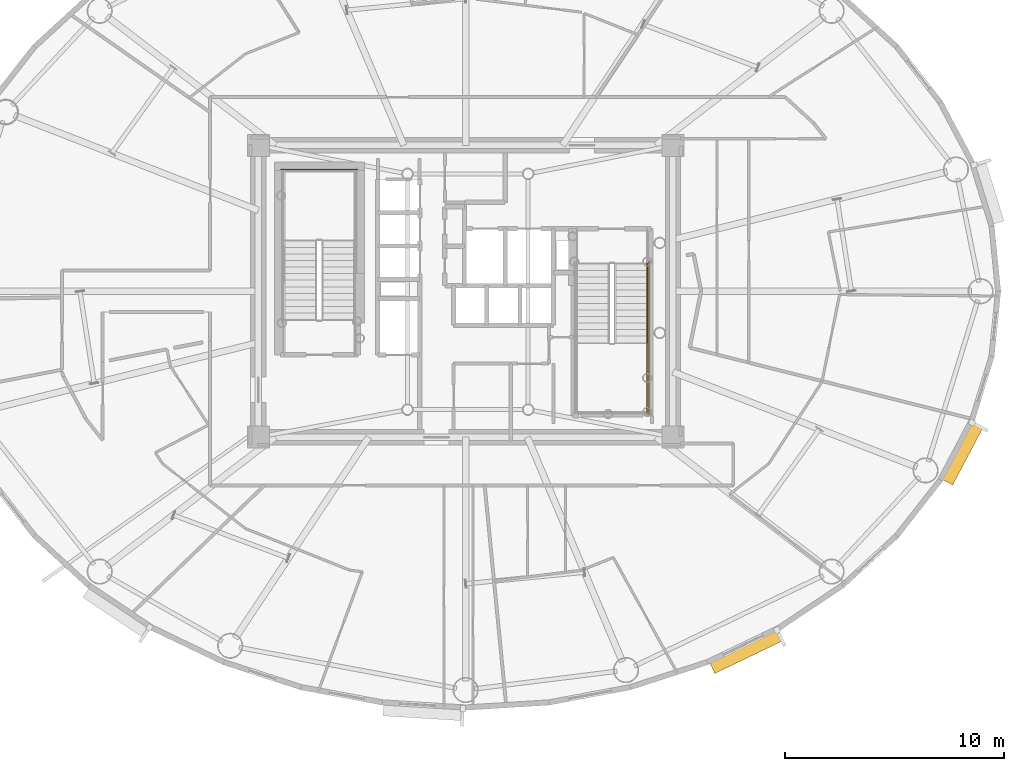
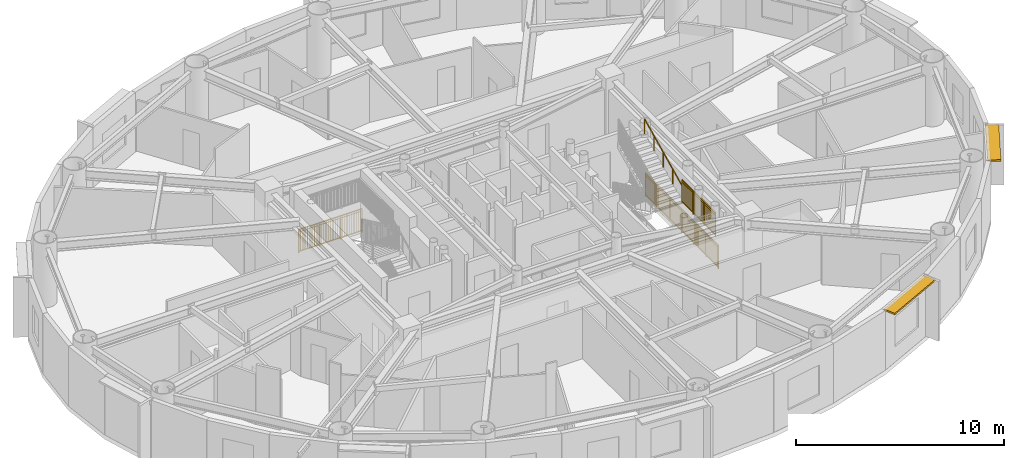
# One storey, part 20 of 21: 4 railings, 2 shading devices.
"""IFC4 building model written with IfcOpenShell, lengths in metres."""

from ifc_helpers import new_model, si_unit, direction, frame, origin, origin_2d, place, context, subcontext, project, spatial, rectangle, extrude, source, transform, mapped, material, layer, layer_set, type_object, element, save


model = new_model("IFC4")

# Units and contexts
model_context = context("Model", 3, precision=1e-05, world=origin(), true_north=direction((0.0, 1.0)))
body_context = subcontext(model_context, "Body", "Model", "MODEL_VIEW")
ifc_project = project(units=[si_unit("LENGTHUNIT", "METRE"), si_unit("AREAUNIT", "SQUARE_METRE"), si_unit("VOLUMEUNIT", "CUBIC_METRE"), si_unit("PLANEANGLEUNIT", "RADIAN"), si_unit("MASSUNIT", "GRAM", prefix="KILO")], contexts=[model_context])

# Site, building, storey
site_placement = place(None, origin())
site = spatial("IfcSite", under=ifc_project, at=site_placement, CompositionType="ELEMENT")
building_placement = place(site_placement, origin())
building = spatial("IfcBuilding", under=site, at=building_placement, Name="Linh Dai School and Residence Tower", CompositionType="ELEMENT")
storey_placement = place(building_placement, frame((0.0, 0.0, 251.550048828125)))
storey = spatial("IfcBuildingStorey", under=building, at=storey_placement, Name="L62", CompositionType="ELEMENT", Elevation=251.550048828125)

# Shading devices
ifc_material_1 = material(Name="Terracotta Ceramic Sunshade", Category="masonry")
ifc_layer = layer(ifc_material_1, 0.10009765625)
ifc_layer_set = layer_set([ifc_layer], Name="Terracotta Ceramic Sunshade")
shading_device_type = type_object("IfcShadingDeviceType", Name="SHD-TC-650", PredefinedType="USERDEFINED", material=ifc_layer_set)
shared_shape_1 = source(origin(), body_context, "Body", "SweptSolid", [
    extrude(rectangle(XDim=3.459716796875, YDim=0.64990234375, at=origin_2d()), origin(), (0.0, 0.0, 1.0), 0.10009765625),
])
shading_device_1_placement = place(storey_placement, frame((48.77880859375, 10.615966796875, 3.3798828125), z_axis=(0.0, 0.0, 1.0), x_axis=(-0.901588864931, -0.432593941973, 0.0)))
element("IfcShadingDevice", 1, at=shading_device_1_placement, inside=storey, type_object=shading_device_type, Name="L62 Terracotta Horizontal Sunshade Band 34", ObjectType="SUNSHADE", PredefinedType="USERDEFINED", context=body_context, shape_type="MappedRepresentation", body=[
    mapped(shared_shape_1, transform((0.0, 0.0, 0.0), x_axis=(1.0, 0.0, 0.0), y_axis=(0.0, 1.0, 0.0), z_axis=(0.0, 0.0, 1.0), scale=1.0)),
])
shared_shape_2 = source(origin(), body_context, "Body", "SweptSolid", [
    extrude(rectangle(XDim=2.986083984375, YDim=0.64990234375, at=origin_2d()), origin(), (0.0, 0.0, 1.0), 0.10009765625),
])
shading_device_2_placement = place(storey_placement, frame((58.614990234375, 19.63623046875, 3.3798828125), z_axis=(0.0, 0.0, 1.0), x_axis=(-0.467621224891, -0.883928950783, 0.0)))
element("IfcShadingDevice", 2, at=shading_device_2_placement, inside=storey, type_object=shading_device_type, Name="L62 Terracotta Horizontal Sunshade Band 38", ObjectType="SUNSHADE", PredefinedType="USERDEFINED", context=body_context, shape_type="MappedRepresentation", body=[
    mapped(shared_shape_2, transform((0.0, 0.0, 0.0), x_axis=(1.0, 0.0, 0.0), y_axis=(0.0, 1.0, 0.0), z_axis=(0.0, 0.0, 1.0), scale=1.0)),
])

# Railings
ifc_material_2 = material(Name="Structural Steel S355JR", Category="steel")
railing_type_1 = type_object("IfcRailingType", Name="RL-ST-GUARD-1400", PredefinedType="GUARDRAIL", material=ifc_material_2)
shared_shape_3 = source(origin(), body_context, "Body", "SweptSolid", [
    extrude(rectangle(XDim=0.048095703125, YDim=0.048095703125, at=origin_2d()), frame((0.0, 0.0, 1.3759765625), z_axis=(-1.0, 0.0, 0.0), x_axis=(0.0, -1.0, 0.0)), (0.0, 0.0, 1.0), 3.5),
    extrude(rectangle(XDim=0.048095703125, YDim=0.048095703125, at=origin_2d()), frame((0.0, 0.0, 0.10009765625), z_axis=(-1.0, 0.0, 0.0), x_axis=(0.0, -1.0, 0.0)), (0.0, 0.0, 1.0), 3.5),
    extrude(rectangle(XDim=0.030029296875, YDim=0.030029296875, at=origin_2d()), frame((0.0, 0.0, 1.239990234375), z_axis=(-1.0, 0.0, 0.0), x_axis=(0.0, -1.0, 0.0)), (0.0, 0.0, 1.0), 3.5),
    extrude(rectangle(XDim=0.02001953125, YDim=0.02001953125, at=origin_2d()), frame((-0.09716796875, 0.0, 0.10009765625)), (0.0, 0.0, 1.0), 1.251708984375),
    extrude(rectangle(XDim=0.02001953125, YDim=0.02001953125, at=origin_2d()), frame((-0.1943359375, 0.0, 0.10009765625)), (0.0, 0.0, 1.0), 1.251708984375),
    extrude(rectangle(XDim=0.02001953125, YDim=0.02001953125, at=origin_2d()), frame((-0.291748046875, 0.0, 0.10009765625)), (0.0, 0.0, 1.0), 1.251708984375),
    extrude(rectangle(XDim=0.02001953125, YDim=0.02001953125, at=origin_2d()), frame((-0.388916015625, 0.0, 0.10009765625)), (0.0, 0.0, 1.0), 1.251708984375),
    extrude(rectangle(XDim=0.02001953125, YDim=0.02001953125, at=origin_2d()), frame((-0.486083984375, 0.0, 0.10009765625)), (0.0, 0.0, 1.0), 1.251708984375),
    extrude(rectangle(XDim=0.02001953125, YDim=0.02001953125, at=origin_2d()), frame((-0.583251953125, 0.0, 0.10009765625)), (0.0, 0.0, 1.0), 1.251708984375),
    extrude(rectangle(XDim=0.02001953125, YDim=0.02001953125, at=origin_2d()), frame((-0.6806640625, 0.0, 0.10009765625)), (0.0, 0.0, 1.0), 1.251708984375),
    extrude(rectangle(XDim=0.02001953125, YDim=0.02001953125, at=origin_2d()), frame((-0.77783203125, 0.0, 0.10009765625)), (0.0, 0.0, 1.0), 1.251708984375),
    extrude(rectangle(XDim=0.02001953125, YDim=0.02001953125, at=origin_2d()), frame((-0.875, 0.0, 0.10009765625)), (0.0, 0.0, 1.0), 1.251708984375),
    extrude(rectangle(XDim=0.02001953125, YDim=0.02001953125, at=origin_2d()), frame((-0.97216796875, 0.0, 0.10009765625)), (0.0, 0.0, 1.0), 1.251708984375),
    extrude(rectangle(XDim=0.02001953125, YDim=0.02001953125, at=origin_2d()), frame((-1.0693359375, 0.0, 0.10009765625)), (0.0, 0.0, 1.0), 1.251708984375),
    extrude(rectangle(XDim=0.02001953125, YDim=0.02001953125, at=origin_2d()), frame((-1.263916015625, 0.0, 0.10009765625)), (0.0, 0.0, 1.0), 1.251708984375),
    extrude(rectangle(XDim=0.02001953125, YDim=0.02001953125, at=origin_2d()), frame((-1.361083984375, 0.0, 0.10009765625)), (0.0, 0.0, 1.0), 1.251708984375),
    extrude(rectangle(XDim=0.02001953125, YDim=0.02001953125, at=origin_2d()), frame((-1.458251953125, 0.0, 0.10009765625)), (0.0, 0.0, 1.0), 1.251708984375),
    extrude(rectangle(XDim=0.02001953125, YDim=0.02001953125, at=origin_2d()), frame((-1.5556640625, 0.0, 0.10009765625)), (0.0, 0.0, 1.0), 1.251708984375),
    extrude(rectangle(XDim=0.02001953125, YDim=0.02001953125, at=origin_2d()), frame((-1.65283203125, 0.0, 0.10009765625)), (0.0, 0.0, 1.0), 1.251708984375),
    extrude(rectangle(XDim=0.02001953125, YDim=0.02001953125, at=origin_2d()), frame((-1.75, 0.0, 0.10009765625)), (0.0, 0.0, 1.0), 1.251708984375),
    extrude(rectangle(XDim=0.02001953125, YDim=0.02001953125, at=origin_2d()), frame((-1.84716796875, 0.0, 0.10009765625)), (0.0, 0.0, 1.0), 1.251708984375),
    extrude(rectangle(XDim=0.02001953125, YDim=0.02001953125, at=origin_2d()), frame((-1.9443359375, 0.0, 0.10009765625)), (0.0, 0.0, 1.0), 1.251708984375),
    extrude(rectangle(XDim=0.02001953125, YDim=0.02001953125, at=origin_2d()), frame((-2.041748046875, 0.0, 0.10009765625)), (0.0, 0.0, 1.0), 1.251708984375),
    extrude(rectangle(XDim=0.02001953125, YDim=0.02001953125, at=origin_2d()), frame((-2.138916015625, 0.0, 0.10009765625)), (0.0, 0.0, 1.0), 1.251708984375),
    extrude(rectangle(XDim=0.02001953125, YDim=0.02001953125, at=origin_2d()), frame((-2.236083984375, 0.0, 0.10009765625)), (0.0, 0.0, 1.0), 1.251708984375),
    extrude(rectangle(XDim=0.02001953125, YDim=0.02001953125, at=origin_2d()), frame((-2.4306640625, 0.0, 0.10009765625)), (0.0, 0.0, 1.0), 1.251708984375),
    extrude(rectangle(XDim=0.02001953125, YDim=0.02001953125, at=origin_2d()), frame((-2.52783203125, 0.0, 0.10009765625)), (0.0, 0.0, 1.0), 1.251708984375),
    extrude(rectangle(XDim=0.02001953125, YDim=0.02001953125, at=origin_2d()), frame((-2.625, 0.0, 0.10009765625)), (0.0, 0.0, 1.0), 1.251708984375),
    extrude(rectangle(XDim=0.02001953125, YDim=0.02001953125, at=origin_2d()), frame((-2.72216796875, 0.0, 0.10009765625)), (0.0, 0.0, 1.0), 1.251708984375),
    extrude(rectangle(XDim=0.02001953125, YDim=0.02001953125, at=origin_2d()), frame((-2.8193359375, 0.0, 0.10009765625)), (0.0, 0.0, 1.0), 1.251708984375),
    extrude(rectangle(XDim=0.02001953125, YDim=0.02001953125, at=origin_2d()), frame((-2.916748046875, 0.0, 0.10009765625)), (0.0, 0.0, 1.0), 1.251708984375),
    extrude(rectangle(XDim=0.02001953125, YDim=0.02001953125, at=origin_2d()), frame((-3.013916015625, 0.0, 0.10009765625)), (0.0, 0.0, 1.0), 1.251708984375),
    extrude(rectangle(XDim=0.02001953125, YDim=0.02001953125, at=origin_2d()), frame((-3.111083984375, 0.0, 0.10009765625)), (0.0, 0.0, 1.0), 1.251708984375),
    extrude(rectangle(XDim=0.02001953125, YDim=0.02001953125, at=origin_2d()), frame((-3.208251953125, 0.0, 0.10009765625)), (0.0, 0.0, 1.0), 1.251708984375),
    extrude(rectangle(XDim=0.02001953125, YDim=0.02001953125, at=origin_2d()), frame((-3.3056640625, 0.0, 0.10009765625)), (0.0, 0.0, 1.0), 1.251708984375),
    extrude(rectangle(XDim=0.02001953125, YDim=0.02001953125, at=origin_2d()), frame((-3.40283203125, 0.0, 0.10009765625)), (0.0, 0.0, 1.0), 1.251708984375),
    extrude(rectangle(XDim=0.0419921875, YDim=0.0419921875, at=origin_2d()), origin(), (0.0, 0.0, 1.0), 1.3759765625),
    extrude(rectangle(XDim=0.0419921875, YDim=0.0419921875, at=origin_2d()), frame((-1.166748046875, 0.0, 0.0)), (0.0, 0.0, 1.0), 1.3759765625),
    extrude(rectangle(XDim=0.0419921875, YDim=0.0419921875, at=origin_2d()), frame((-2.333251953125, 0.0, 0.0)), (0.0, 0.0, 1.0), 1.3759765625),
    extrude(rectangle(XDim=0.0419921875, YDim=0.0419921875, at=origin_2d()), frame((-3.5, 0.0, 0.0)), (0.0, 0.0, 1.0), 1.3759765625),
])
railing_1_placement = place(storey_placement, frame((31.080078125, 32.550048828125, 0.0)))
element("IfcRailing", 3, at=railing_1_placement, inside=storey, type_object=railing_type_1, Name="L62 ST1 stair guard 12", PredefinedType="GUARDRAIL", context=body_context, shape_type="MappedRepresentation", body=[
    mapped(shared_shape_3, transform((0.0, 0.0, 0.0), x_axis=(1.0, 0.0, 0.0), y_axis=(0.0, 1.0, 0.0), z_axis=(0.0, 0.0, 1.0), scale=1.0)),
])
ifc_material_3 = material(Name="Brushed Stainless Steel Handrail", Category="steel")
railing_type_2 = type_object("IfcRailingType", Name="RL-ST-HANDRAIL-900", PredefinedType="HANDRAIL", material=ifc_material_3)
shared_shape_4 = source(origin(), body_context, "Body", "SweptSolid", [
    extrude(rectangle(XDim=0.048095703125, YDim=0.048095703125, at=origin_2d()), frame((0.0, 0.0, 0.8759765625), z_axis=(0.0, 0.901262522062, 0.433273431364), x_axis=(-1.0, 0.0, 0.0)), (0.0, 0.0, 1.0), 3.994384765625),
    extrude(rectangle(XDim=0.0419921875, YDim=0.0419921875, at=origin_2d()), origin(), (0.0, 0.0, 1.0), 0.8759765625),
    extrude(rectangle(XDim=0.0419921875, YDim=0.0419921875, at=origin_2d()), frame((0.0, 0.89990234375, 0.4326171875)), (0.0, 0.0, 1.0), 0.8759765625),
    extrude(rectangle(XDim=0.0419921875, YDim=0.0419921875, at=origin_2d()), frame((0.0, 1.800048828125, 0.865234375)), (0.0, 0.0, 1.0), 0.8759765625),
    extrude(rectangle(XDim=0.0419921875, YDim=0.0419921875, at=origin_2d()), frame((0.0, 2.7001953125, 1.298095703125)), (0.0, 0.0, 1.0), 0.8759765625),
    extrude(rectangle(XDim=0.0419921875, YDim=0.0419921875, at=origin_2d()), frame((0.0, 3.60009765625, 1.730712890625)), (0.0, 0.0, 1.0), 0.8759765625),
])
railing_2_placement = place(storey_placement, frame((44.27001953125, 24.64990234375, 2.019287109375)))
element("IfcRailing", 4, at=railing_2_placement, inside=storey, type_object=railing_type_2, Name="L62 ST2 stair handrail 2", PredefinedType="HANDRAIL", context=body_context, shape_type="MappedRepresentation", body=[
    mapped(shared_shape_4, transform((0.0, 0.0, 0.0), x_axis=(1.0, 0.0, 0.0), y_axis=(0.0, 1.0, 0.0), z_axis=(0.0, 0.0, 1.0), scale=1.0)),
])
shared_shape_5 = source(origin(), body_context, "Body", "SweptSolid", [
    extrude(rectangle(XDim=0.048095703125, YDim=0.048095703125, at=origin_2d()), frame((0.0, 0.0, 1.3759765625), z_axis=(0.0, -1.0, 0.0), x_axis=(1.0, 0.0, 0.0)), (0.0, 0.0, 1.0), 7.0),
    extrude(rectangle(XDim=0.048095703125, YDim=0.048095703125, at=origin_2d()), frame((0.0, 0.0, 0.10009765625), z_axis=(0.0, -1.0, 0.0), x_axis=(1.0, 0.0, 0.0)), (0.0, 0.0, 1.0), 7.0),
    extrude(rectangle(XDim=0.030029296875, YDim=0.030029296875, at=origin_2d()), frame((0.0, 0.0, 1.239990234375), z_axis=(0.0, -1.0, 0.0), x_axis=(1.0, 0.0, 0.0)), (0.0, 0.0, 1.0), 7.0),
    extrude(rectangle(XDim=0.02001953125, YDim=0.02001953125, at=origin_2d()), frame((0.0, -0.09716796875, 0.10009765625)), (0.0, 0.0, 1.0), 1.251708984375),
    extrude(rectangle(XDim=0.02001953125, YDim=0.02001953125, at=origin_2d()), frame((0.0, -0.1943359375, 0.10009765625)), (0.0, 0.0, 1.0), 1.251708984375),
    extrude(rectangle(XDim=0.02001953125, YDim=0.02001953125, at=origin_2d()), frame((0.0, -0.291748046875, 0.10009765625)), (0.0, 0.0, 1.0), 1.251708984375),
    extrude(rectangle(XDim=0.02001953125, YDim=0.02001953125, at=origin_2d()), frame((0.0, -0.388916015625, 0.10009765625)), (0.0, 0.0, 1.0), 1.251708984375),
    extrude(rectangle(XDim=0.02001953125, YDim=0.02001953125, at=origin_2d()), frame((0.0, -0.486083984375, 0.10009765625)), (0.0, 0.0, 1.0), 1.251708984375),
    extrude(rectangle(XDim=0.02001953125, YDim=0.02001953125, at=origin_2d()), frame((0.0, -0.583251953125, 0.10009765625)), (0.0, 0.0, 1.0), 1.251708984375),
    extrude(rectangle(XDim=0.02001953125, YDim=0.02001953125, at=origin_2d()), frame((0.0, -0.6806640625, 0.10009765625)), (0.0, 0.0, 1.0), 1.251708984375),
    extrude(rectangle(XDim=0.02001953125, YDim=0.02001953125, at=origin_2d()), frame((0.0, -0.77783203125, 0.10009765625)), (0.0, 0.0, 1.0), 1.251708984375),
    extrude(rectangle(XDim=0.02001953125, YDim=0.02001953125, at=origin_2d()), frame((0.0, -0.875, 0.10009765625)), (0.0, 0.0, 1.0), 1.251708984375),
    extrude(rectangle(XDim=0.02001953125, YDim=0.02001953125, at=origin_2d()), frame((0.0, -0.97216796875, 0.10009765625)), (0.0, 0.0, 1.0), 1.251708984375),
    extrude(rectangle(XDim=0.02001953125, YDim=0.02001953125, at=origin_2d()), frame((0.0, -1.0693359375, 0.10009765625)), (0.0, 0.0, 1.0), 1.251708984375),
    extrude(rectangle(XDim=0.02001953125, YDim=0.02001953125, at=origin_2d()), frame((0.0, -1.263916015625, 0.10009765625)), (0.0, 0.0, 1.0), 1.251708984375),
    extrude(rectangle(XDim=0.02001953125, YDim=0.02001953125, at=origin_2d()), frame((0.0, -1.361083984375, 0.10009765625)), (0.0, 0.0, 1.0), 1.251708984375),
    extrude(rectangle(XDim=0.02001953125, YDim=0.02001953125, at=origin_2d()), frame((0.0, -1.458251953125, 0.10009765625)), (0.0, 0.0, 1.0), 1.251708984375),
    extrude(rectangle(XDim=0.02001953125, YDim=0.02001953125, at=origin_2d()), frame((0.0, -1.5556640625, 0.10009765625)), (0.0, 0.0, 1.0), 1.251708984375),
    extrude(rectangle(XDim=0.02001953125, YDim=0.02001953125, at=origin_2d()), frame((0.0, -1.65283203125, 0.10009765625)), (0.0, 0.0, 1.0), 1.251708984375),
    extrude(rectangle(XDim=0.02001953125, YDim=0.02001953125, at=origin_2d()), frame((0.0, -1.75, 0.10009765625)), (0.0, 0.0, 1.0), 1.251708984375),
    extrude(rectangle(XDim=0.02001953125, YDim=0.02001953125, at=origin_2d()), frame((0.0, -1.84716796875, 0.10009765625)), (0.0, 0.0, 1.0), 1.251708984375),
    extrude(rectangle(XDim=0.02001953125, YDim=0.02001953125, at=origin_2d()), frame((0.0, -1.9443359375, 0.10009765625)), (0.0, 0.0, 1.0), 1.251708984375),
    extrude(rectangle(XDim=0.02001953125, YDim=0.02001953125, at=origin_2d()), frame((0.0, -2.041748046875, 0.10009765625)), (0.0, 0.0, 1.0), 1.251708984375),
    extrude(rectangle(XDim=0.02001953125, YDim=0.02001953125, at=origin_2d()), frame((0.0, -2.138916015625, 0.10009765625)), (0.0, 0.0, 1.0), 1.251708984375),
    extrude(rectangle(XDim=0.02001953125, YDim=0.02001953125, at=origin_2d()), frame((0.0, -2.236083984375, 0.10009765625)), (0.0, 0.0, 1.0), 1.251708984375),
    extrude(rectangle(XDim=0.02001953125, YDim=0.02001953125, at=origin_2d()), frame((0.0, -2.4306640625, 0.10009765625)), (0.0, 0.0, 1.0), 1.251708984375),
    extrude(rectangle(XDim=0.02001953125, YDim=0.02001953125, at=origin_2d()), frame((0.0, -2.52783203125, 0.10009765625)), (0.0, 0.0, 1.0), 1.251708984375),
    extrude(rectangle(XDim=0.02001953125, YDim=0.02001953125, at=origin_2d()), frame((0.0, -2.625, 0.10009765625)), (0.0, 0.0, 1.0), 1.251708984375),
    extrude(rectangle(XDim=0.02001953125, YDim=0.02001953125, at=origin_2d()), frame((0.0, -2.72216796875, 0.10009765625)), (0.0, 0.0, 1.0), 1.251708984375),
    extrude(rectangle(XDim=0.02001953125, YDim=0.02001953125, at=origin_2d()), frame((0.0, -2.8193359375, 0.10009765625)), (0.0, 0.0, 1.0), 1.251708984375),
    extrude(rectangle(XDim=0.02001953125, YDim=0.02001953125, at=origin_2d()), frame((0.0, -2.916748046875, 0.10009765625)), (0.0, 0.0, 1.0), 1.251708984375),
    extrude(rectangle(XDim=0.02001953125, YDim=0.02001953125, at=origin_2d()), frame((0.0, -3.013916015625, 0.10009765625)), (0.0, 0.0, 1.0), 1.251708984375),
    extrude(rectangle(XDim=0.02001953125, YDim=0.02001953125, at=origin_2d()), frame((0.0, -3.111083984375, 0.10009765625)), (0.0, 0.0, 1.0), 1.251708984375),
    extrude(rectangle(XDim=0.02001953125, YDim=0.02001953125, at=origin_2d()), frame((0.0, -3.208251953125, 0.10009765625)), (0.0, 0.0, 1.0), 1.251708984375),
    extrude(rectangle(XDim=0.02001953125, YDim=0.02001953125, at=origin_2d()), frame((0.0, -3.3056640625, 0.10009765625)), (0.0, 0.0, 1.0), 1.251708984375),
    extrude(rectangle(XDim=0.02001953125, YDim=0.02001953125, at=origin_2d()), frame((0.0, -3.40283203125, 0.10009765625)), (0.0, 0.0, 1.0), 1.251708984375),
    extrude(rectangle(XDim=0.02001953125, YDim=0.02001953125, at=origin_2d()), frame((0.0, -3.59716796875, 0.10009765625)), (0.0, 0.0, 1.0), 1.251708984375),
    extrude(rectangle(XDim=0.02001953125, YDim=0.02001953125, at=origin_2d()), frame((0.0, -3.6943359375, 0.10009765625)), (0.0, 0.0, 1.0), 1.251708984375),
    extrude(rectangle(XDim=0.02001953125, YDim=0.02001953125, at=origin_2d()), frame((0.0, -3.791748046875, 0.10009765625)), (0.0, 0.0, 1.0), 1.251708984375),
    extrude(rectangle(XDim=0.02001953125, YDim=0.02001953125, at=origin_2d()), frame((0.0, -3.888916015625, 0.10009765625)), (0.0, 0.0, 1.0), 1.251708984375),
    extrude(rectangle(XDim=0.02001953125, YDim=0.02001953125, at=origin_2d()), frame((0.0, -3.986083984375, 0.10009765625)), (0.0, 0.0, 1.0), 1.251708984375),
    extrude(rectangle(XDim=0.02001953125, YDim=0.02001953125, at=origin_2d()), frame((0.0, -4.083251953125, 0.10009765625)), (0.0, 0.0, 1.0), 1.251708984375),
    extrude(rectangle(XDim=0.02001953125, YDim=0.02001953125, at=origin_2d()), frame((0.0, -4.1806640625, 0.10009765625)), (0.0, 0.0, 1.0), 1.251708984375),
    extrude(rectangle(XDim=0.02001953125, YDim=0.02001953125, at=origin_2d()), frame((0.0, -4.27783203125, 0.10009765625)), (0.0, 0.0, 1.0), 1.251708984375),
    extrude(rectangle(XDim=0.02001953125, YDim=0.02001953125, at=origin_2d()), frame((0.0, -4.375, 0.10009765625)), (0.0, 0.0, 1.0), 1.251708984375),
    extrude(rectangle(XDim=0.02001953125, YDim=0.02001953125, at=origin_2d()), frame((0.0, -4.47216796875, 0.10009765625)), (0.0, 0.0, 1.0), 1.251708984375),
    extrude(rectangle(XDim=0.02001953125, YDim=0.02001953125, at=origin_2d()), frame((0.0, -4.5693359375, 0.10009765625)), (0.0, 0.0, 1.0), 1.251708984375),
    extrude(rectangle(XDim=0.02001953125, YDim=0.02001953125, at=origin_2d()), frame((0.0, -4.763916015625, 0.10009765625)), (0.0, 0.0, 1.0), 1.251708984375),
    extrude(rectangle(XDim=0.02001953125, YDim=0.02001953125, at=origin_2d()), frame((0.0, -4.861083984375, 0.10009765625)), (0.0, 0.0, 1.0), 1.251708984375),
    extrude(rectangle(XDim=0.02001953125, YDim=0.02001953125, at=origin_2d()), frame((0.0, -4.958251953125, 0.10009765625)), (0.0, 0.0, 1.0), 1.251708984375),
    extrude(rectangle(XDim=0.02001953125, YDim=0.02001953125, at=origin_2d()), frame((0.0, -5.0556640625, 0.10009765625)), (0.0, 0.0, 1.0), 1.251708984375),
    extrude(rectangle(XDim=0.02001953125, YDim=0.02001953125, at=origin_2d()), frame((0.0, -5.15283203125, 0.10009765625)), (0.0, 0.0, 1.0), 1.251708984375),
    extrude(rectangle(XDim=0.02001953125, YDim=0.02001953125, at=origin_2d()), frame((0.0, -5.25, 0.10009765625)), (0.0, 0.0, 1.0), 1.251708984375),
    extrude(rectangle(XDim=0.02001953125, YDim=0.02001953125, at=origin_2d()), frame((0.0, -5.34716796875, 0.10009765625)), (0.0, 0.0, 1.0), 1.251708984375),
    extrude(rectangle(XDim=0.02001953125, YDim=0.02001953125, at=origin_2d()), frame((0.0, -5.4443359375, 0.10009765625)), (0.0, 0.0, 1.0), 1.251708984375),
    extrude(rectangle(XDim=0.02001953125, YDim=0.02001953125, at=origin_2d()), frame((0.0, -5.541748046875, 0.10009765625)), (0.0, 0.0, 1.0), 1.251708984375),
    extrude(rectangle(XDim=0.02001953125, YDim=0.02001953125, at=origin_2d()), frame((0.0, -5.638916015625, 0.10009765625)), (0.0, 0.0, 1.0), 1.251708984375),
    extrude(rectangle(XDim=0.02001953125, YDim=0.02001953125, at=origin_2d()), frame((0.0, -5.736083984375, 0.10009765625)), (0.0, 0.0, 1.0), 1.251708984375),
    extrude(rectangle(XDim=0.02001953125, YDim=0.02001953125, at=origin_2d()), frame((0.0, -5.9306640625, 0.10009765625)), (0.0, 0.0, 1.0), 1.251708984375),
    extrude(rectangle(XDim=0.02001953125, YDim=0.02001953125, at=origin_2d()), frame((0.0, -6.02783203125, 0.10009765625)), (0.0, 0.0, 1.0), 1.251708984375),
    extrude(rectangle(XDim=0.02001953125, YDim=0.02001953125, at=origin_2d()), frame((0.0, -6.125, 0.10009765625)), (0.0, 0.0, 1.0), 1.251708984375),
    extrude(rectangle(XDim=0.02001953125, YDim=0.02001953125, at=origin_2d()), frame((0.0, -6.22216796875, 0.10009765625)), (0.0, 0.0, 1.0), 1.251708984375),
    extrude(rectangle(XDim=0.02001953125, YDim=0.02001953125, at=origin_2d()), frame((0.0, -6.3193359375, 0.10009765625)), (0.0, 0.0, 1.0), 1.251708984375),
    extrude(rectangle(XDim=0.02001953125, YDim=0.02001953125, at=origin_2d()), frame((0.0, -6.416748046875, 0.10009765625)), (0.0, 0.0, 1.0), 1.251708984375),
    extrude(rectangle(XDim=0.02001953125, YDim=0.02001953125, at=origin_2d()), frame((0.0, -6.513916015625, 0.10009765625)), (0.0, 0.0, 1.0), 1.251708984375),
    extrude(rectangle(XDim=0.02001953125, YDim=0.02001953125, at=origin_2d()), frame((0.0, -6.611083984375, 0.10009765625)), (0.0, 0.0, 1.0), 1.251708984375),
    extrude(rectangle(XDim=0.02001953125, YDim=0.02001953125, at=origin_2d()), frame((0.0, -6.708251953125, 0.10009765625)), (0.0, 0.0, 1.0), 1.251708984375),
    extrude(rectangle(XDim=0.02001953125, YDim=0.02001953125, at=origin_2d()), frame((0.0, -6.8056640625, 0.10009765625)), (0.0, 0.0, 1.0), 1.251708984375),
    extrude(rectangle(XDim=0.02001953125, YDim=0.02001953125, at=origin_2d()), frame((0.0, -6.90283203125, 0.10009765625)), (0.0, 0.0, 1.0), 1.251708984375),
    extrude(rectangle(XDim=0.0419921875, YDim=0.0419921875, at=origin_2d()), origin(), (0.0, 0.0, 1.0), 1.3759765625),
    extrude(rectangle(XDim=0.0419921875, YDim=0.0419921875, at=origin_2d()), frame((0.0, -1.166748046875, 0.0)), (0.0, 0.0, 1.0), 1.3759765625),
    extrude(rectangle(XDim=0.0419921875, YDim=0.0419921875, at=origin_2d()), frame((0.0, -2.333251953125, 0.0)), (0.0, 0.0, 1.0), 1.3759765625),
    extrude(rectangle(XDim=0.0419921875, YDim=0.0419921875, at=origin_2d()), frame((0.0, -3.5, 0.0)), (0.0, 0.0, 1.0), 1.3759765625),
    extrude(rectangle(XDim=0.0419921875, YDim=0.0419921875, at=origin_2d()), frame((0.0, -4.666748046875, 0.0)), (0.0, 0.0, 1.0), 1.3759765625),
    extrude(rectangle(XDim=0.0419921875, YDim=0.0419921875, at=origin_2d()), frame((0.0, -5.833251953125, 0.0)), (0.0, 0.0, 1.0), 1.3759765625),
    extrude(rectangle(XDim=0.0419921875, YDim=0.0419921875, at=origin_2d()), frame((0.0, -7.0, 0.0)), (0.0, 0.0, 1.0), 1.3759765625),
])
railing_3_placement = place(storey_placement, frame((44.3701171875, 28.35009765625, 0.0)))
element("IfcRailing", 5, at=railing_3_placement, inside=storey, type_object=railing_type_1, Name="L62 ST2 stair guard 11", PredefinedType="GUARDRAIL", context=body_context, shape_type="MappedRepresentation", body=[
    mapped(shared_shape_5, transform((0.0, 0.0, 0.0), x_axis=(1.0, 0.0, 0.0), y_axis=(0.0, 1.0, 0.0), z_axis=(0.0, 0.0, 1.0), scale=1.0)),
])
shared_shape_6 = source(origin(), body_context, "Body", "SweptSolid", [
    extrude(rectangle(XDim=0.048095703125, YDim=0.048095703125, at=origin_2d()), frame((0.0, 0.0, 1.3759765625), z_axis=(0.0, -1.0, 0.0), x_axis=(1.0, 0.0, 0.0)), (0.0, 0.0, 1.0), 3.199951171875),
    extrude(rectangle(XDim=0.048095703125, YDim=0.048095703125, at=origin_2d()), frame((0.0, 0.0, 0.10009765625), z_axis=(0.0, -1.0, 0.0), x_axis=(1.0, 0.0, 0.0)), (0.0, 0.0, 1.0), 3.199951171875),
    extrude(rectangle(XDim=0.030029296875, YDim=0.030029296875, at=origin_2d()), frame((0.0, 0.0, 1.239990234375), z_axis=(0.0, -1.0, 0.0), x_axis=(1.0, 0.0, 0.0)), (0.0, 0.0, 1.0), 3.199951171875),
    extrude(rectangle(XDim=0.02001953125, YDim=0.02001953125, at=origin_2d()), frame((0.0, -0.096923828125, 0.10009765625)), (0.0, 0.0, 1.0), 1.251708984375),
    extrude(rectangle(XDim=0.02001953125, YDim=0.02001953125, at=origin_2d()), frame((0.0, -0.19384765625, 0.10009765625)), (0.0, 0.0, 1.0), 1.251708984375),
    extrude(rectangle(XDim=0.02001953125, YDim=0.02001953125, at=origin_2d()), frame((0.0, -0.291015625, 0.10009765625)), (0.0, 0.0, 1.0), 1.251708984375),
    extrude(rectangle(XDim=0.02001953125, YDim=0.02001953125, at=origin_2d()), frame((0.0, -0.387939453125, 0.10009765625)), (0.0, 0.0, 1.0), 1.251708984375),
    extrude(rectangle(XDim=0.02001953125, YDim=0.02001953125, at=origin_2d()), frame((0.0, -0.48486328125, 0.10009765625)), (0.0, 0.0, 1.0), 1.251708984375),
    extrude(rectangle(XDim=0.02001953125, YDim=0.02001953125, at=origin_2d()), frame((0.0, -0.581787109375, 0.10009765625)), (0.0, 0.0, 1.0), 1.251708984375),
    extrude(rectangle(XDim=0.02001953125, YDim=0.02001953125, at=origin_2d()), frame((0.0, -0.6787109375, 0.10009765625)), (0.0, 0.0, 1.0), 1.251708984375),
    extrude(rectangle(XDim=0.02001953125, YDim=0.02001953125, at=origin_2d()), frame((0.0, -0.775634765625, 0.10009765625)), (0.0, 0.0, 1.0), 1.251708984375),
    extrude(rectangle(XDim=0.02001953125, YDim=0.02001953125, at=origin_2d()), frame((0.0, -0.872802734375, 0.10009765625)), (0.0, 0.0, 1.0), 1.251708984375),
    extrude(rectangle(XDim=0.02001953125, YDim=0.02001953125, at=origin_2d()), frame((0.0, -0.9697265625, 0.10009765625)), (0.0, 0.0, 1.0), 1.251708984375),
    extrude(rectangle(XDim=0.02001953125, YDim=0.02001953125, at=origin_2d()), frame((0.0, -1.16357421875, 0.10009765625)), (0.0, 0.0, 1.0), 1.251708984375),
    extrude(rectangle(XDim=0.02001953125, YDim=0.02001953125, at=origin_2d()), frame((0.0, -1.260498046875, 0.10009765625)), (0.0, 0.0, 1.0), 1.251708984375),
    extrude(rectangle(XDim=0.02001953125, YDim=0.02001953125, at=origin_2d()), frame((0.0, -1.357666015625, 0.10009765625)), (0.0, 0.0, 1.0), 1.251708984375),
    extrude(rectangle(XDim=0.02001953125, YDim=0.02001953125, at=origin_2d()), frame((0.0, -1.45458984375, 0.10009765625)), (0.0, 0.0, 1.0), 1.251708984375),
    extrude(rectangle(XDim=0.02001953125, YDim=0.02001953125, at=origin_2d()), frame((0.0, -1.551513671875, 0.10009765625)), (0.0, 0.0, 1.0), 1.251708984375),
    extrude(rectangle(XDim=0.02001953125, YDim=0.02001953125, at=origin_2d()), frame((0.0, -1.6484375, 0.10009765625)), (0.0, 0.0, 1.0), 1.251708984375),
    extrude(rectangle(XDim=0.02001953125, YDim=0.02001953125, at=origin_2d()), frame((0.0, -1.745361328125, 0.10009765625)), (0.0, 0.0, 1.0), 1.251708984375),
    extrude(rectangle(XDim=0.02001953125, YDim=0.02001953125, at=origin_2d()), frame((0.0, -1.84228515625, 0.10009765625)), (0.0, 0.0, 1.0), 1.251708984375),
    extrude(rectangle(XDim=0.02001953125, YDim=0.02001953125, at=origin_2d()), frame((0.0, -1.939453125, 0.10009765625)), (0.0, 0.0, 1.0), 1.251708984375),
    extrude(rectangle(XDim=0.02001953125, YDim=0.02001953125, at=origin_2d()), frame((0.0, -2.036376953125, 0.10009765625)), (0.0, 0.0, 1.0), 1.251708984375),
    extrude(rectangle(XDim=0.02001953125, YDim=0.02001953125, at=origin_2d()), frame((0.0, -2.230224609375, 0.10009765625)), (0.0, 0.0, 1.0), 1.251708984375),
    extrude(rectangle(XDim=0.02001953125, YDim=0.02001953125, at=origin_2d()), frame((0.0, -2.3271484375, 0.10009765625)), (0.0, 0.0, 1.0), 1.251708984375),
    extrude(rectangle(XDim=0.02001953125, YDim=0.02001953125, at=origin_2d()), frame((0.0, -2.42431640625, 0.10009765625)), (0.0, 0.0, 1.0), 1.251708984375),
    extrude(rectangle(XDim=0.02001953125, YDim=0.02001953125, at=origin_2d()), frame((0.0, -2.521240234375, 0.10009765625)), (0.0, 0.0, 1.0), 1.251708984375),
    extrude(rectangle(XDim=0.02001953125, YDim=0.02001953125, at=origin_2d()), frame((0.0, -2.6181640625, 0.10009765625)), (0.0, 0.0, 1.0), 1.251708984375),
    extrude(rectangle(XDim=0.02001953125, YDim=0.02001953125, at=origin_2d()), frame((0.0, -2.715087890625, 0.10009765625)), (0.0, 0.0, 1.0), 1.251708984375),
    extrude(rectangle(XDim=0.02001953125, YDim=0.02001953125, at=origin_2d()), frame((0.0, -2.81201171875, 0.10009765625)), (0.0, 0.0, 1.0), 1.251708984375),
    extrude(rectangle(XDim=0.02001953125, YDim=0.02001953125, at=origin_2d()), frame((0.0, -2.908935546875, 0.10009765625)), (0.0, 0.0, 1.0), 1.251708984375),
    extrude(rectangle(XDim=0.02001953125, YDim=0.02001953125, at=origin_2d()), frame((0.0, -3.006103515625, 0.10009765625)), (0.0, 0.0, 1.0), 1.251708984375),
    extrude(rectangle(XDim=0.02001953125, YDim=0.02001953125, at=origin_2d()), frame((0.0, -3.10302734375, 0.10009765625)), (0.0, 0.0, 1.0), 1.251708984375),
    extrude(rectangle(XDim=0.0419921875, YDim=0.0419921875, at=origin_2d()), origin(), (0.0, 0.0, 1.0), 1.3759765625),
    extrude(rectangle(XDim=0.0419921875, YDim=0.0419921875, at=origin_2d()), frame((0.0, -1.066650390625, 0.0)), (0.0, 0.0, 1.0), 1.3759765625),
    extrude(rectangle(XDim=0.0419921875, YDim=0.0419921875, at=origin_2d()), frame((0.0, -2.13330078125, 0.0)), (0.0, 0.0, 1.0), 1.3759765625),
    extrude(rectangle(XDim=0.0419921875, YDim=0.0419921875, at=origin_2d()), frame((0.0, -3.199951171875, 0.0)), (0.0, 0.0, 1.0), 1.3759765625),
])
railing_4_placement = place(storey_placement, frame((44.27001953125, 24.64990234375, 1.875)))
element("IfcRailing", 6, at=railing_4_placement, inside=storey, type_object=railing_type_1, Name="L62 ST2 stair guard 4", PredefinedType="GUARDRAIL", context=body_context, shape_type="MappedRepresentation", body=[
    mapped(shared_shape_6, transform((0.0, 0.0, 0.0), x_axis=(1.0, 0.0, 0.0), y_axis=(0.0, 1.0, 0.0), z_axis=(0.0, 0.0, 1.0), scale=1.0)),
])

save(model, "model.ifc")
